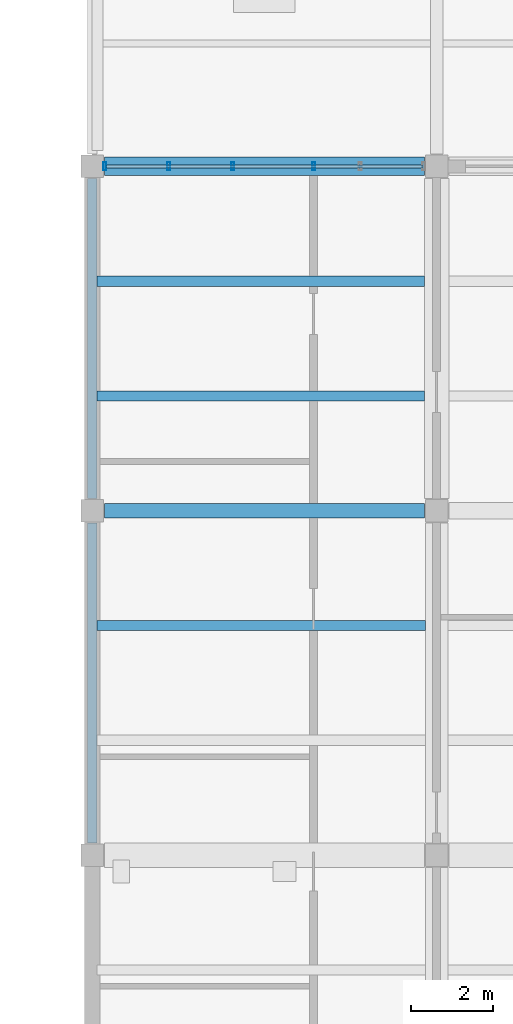
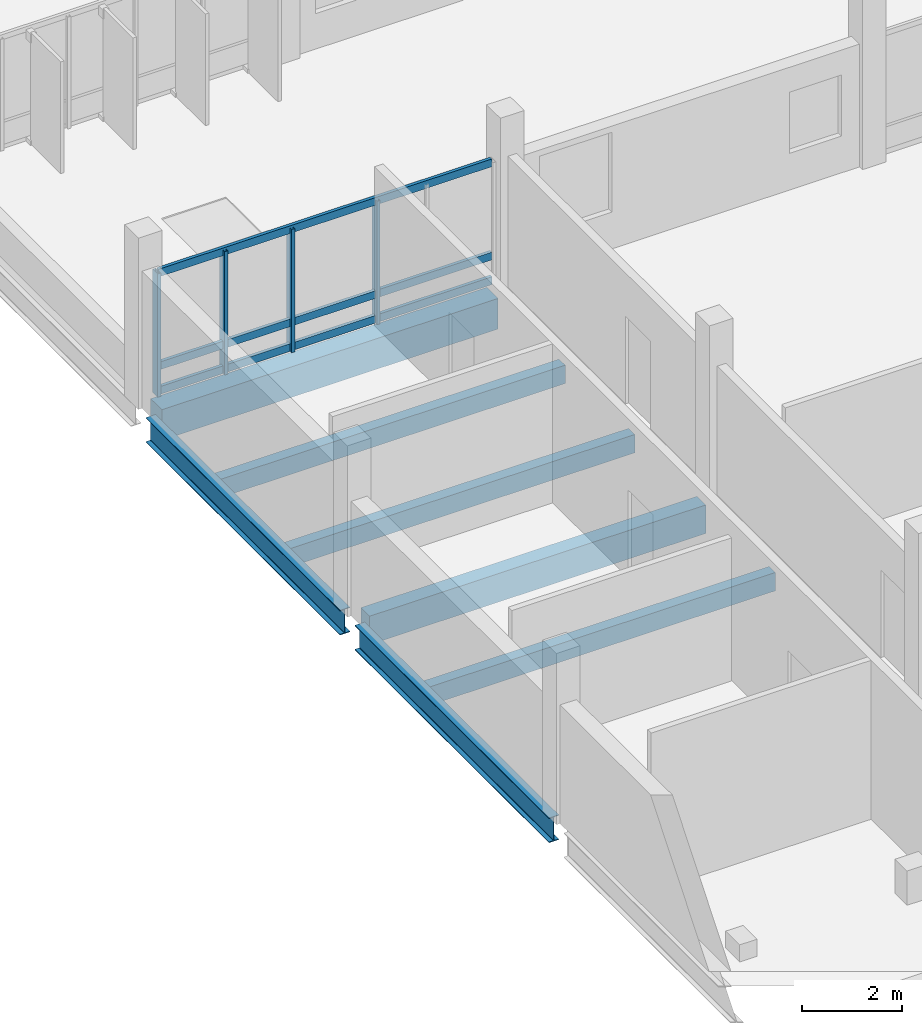
# One storey, part 51 of 130: 7 beams, 7 members, 1 element without a shape of its own.
"""IFC4 building model written with IfcOpenShell, lengths in metres."""

from ifc_helpers import new_model, si_unit, direction, frame, origin, origin_2d, place, context, subcontext, project, spatial, rectangle, hollow_rectangle, i_section, extrude, material, layer, layer_set, material_profile, profile_set, type_object, element, aggregate, save


model = new_model("IFC4")

# Units and contexts
model_context = context("Model", 3, precision=1e-05, world=origin(), true_north=direction((0.0, 1.0)))
body_context = subcontext(model_context, "Body", "Model", "MODEL_VIEW")
ifc_project = project(units=[si_unit("LENGTHUNIT", "METRE"), si_unit("AREAUNIT", "SQUARE_METRE"), si_unit("VOLUMEUNIT", "CUBIC_METRE"), si_unit("PLANEANGLEUNIT", "RADIAN"), si_unit("MASSUNIT", "GRAM", prefix="KILO")], contexts=[model_context])

# Site, building, storey
site_placement = place(None, origin())
site = spatial("IfcSite", under=ifc_project, at=site_placement, CompositionType="ELEMENT")
building_placement = place(site_placement, origin())
building = spatial("IfcBuilding", under=site, at=building_placement, Name="Vireocrest Preparatory School", CompositionType="ELEMENT")
storey_placement = place(building_placement, frame((0.0, 0.0, 9.0)))
storey = spatial("IfcBuildingStorey", under=building, at=storey_placement, Name="L02", CompositionType="ELEMENT", Elevation=9.0)

# Curtain wall, members
ifc_material_1 = material(Name="Thermally broken aluminium EN AW-6063-T6", Category="aluminium")
ifc_layer = layer(ifc_material_1, 0.179931640625)
ifc_layer_set = layer_set([ifc_layer], Name="Thermally broken aluminium EN AW-6063-T6")
curtain_wall_type = type_object("IfcCurtainWallType", Name="North Street Curtain Wall 8400x4000", PredefinedType="USERDEFINED", material=ifc_layer_set)
curtain_wall_placement = place(storey_placement, origin())
curtain_wall = element("IfcCurtainWall", 1, at=curtain_wall_placement, inside=storey, type_object=curtain_wall_type, Name="Curtain Wall CW05 CW_L02_CW05_0422_0858_090", ObjectType="CURTAIN WALL", PredefinedType="USERDEFINED")
ifc_material_profile_1 = material_profile(ifc_material_1, hollow_rectangle(XDim=0.074951171875, YDim=0.199951171875, WallThickness=0.0048828125, at=origin_2d()), Name="ALU 75x200x5")
ifc_profile_set_1 = profile_set([ifc_material_profile_1], Name="Thermally broken aluminium EN AW-6063-T6")
member_type_1 = type_object("IfcMemberType", Name="CW Mullion 75x200x5", PredefinedType="MULLION", material=ifc_profile_set_1)
member_1_placement = place(storey_placement, frame((42.31005859375, 85.800048828125, 0.0), z_axis=(0.0, 0.0, 1.0), x_axis=(1.0, 0.0, 0.0)))
member_1 = element("IfcMember", 2, at=member_1_placement, type_object=member_type_1, Name="CW Mullion ML3 CW_L02_CW05_0422_0858_090-1", PredefinedType="MULLION", context=body_context, shape_type="SweptSolid", body=[
    extrude(hollow_rectangle(XDim=0.074951171875, YDim=0.199951171875, WallThickness=0.0048828125, at=origin_2d()), origin(), (0.0, 0.0, 1.0), 3.02490234375),
])
member_2_placement = place(storey_placement, frame((43.865966796875, 85.800048828125, 0.0), z_axis=(0.0, 0.0, 1.0), x_axis=(1.0, 0.0, 0.0)))
member_2 = element("IfcMember", 3, at=member_2_placement, type_object=member_type_1, Name="CW Mullion ML3 CW_L02_CW05_0422_0858_090-2", PredefinedType="MULLION", context=body_context, shape_type="SweptSolid", body=[
    extrude(hollow_rectangle(XDim=0.074951171875, YDim=0.199951171875, WallThickness=0.0048828125, at=origin_2d()), origin(), (0.0, 0.0, 1.0), 3.02490234375),
])
member_3_placement = place(storey_placement, frame((45.422119140625, 85.800048828125, 0.0), z_axis=(0.0, 0.0, 1.0), x_axis=(1.0, 0.0, 0.0)))
member_3 = element("IfcMember", 4, at=member_3_placement, type_object=member_type_1, Name="CW Mullion ML3 CW_L02_CW05_0422_0858_090-3", PredefinedType="MULLION", context=body_context, shape_type="SweptSolid", body=[
    extrude(hollow_rectangle(XDim=0.074951171875, YDim=0.199951171875, WallThickness=0.0048828125, at=origin_2d()), origin(), (0.0, 0.0, 1.0), 3.02490234375),
])
member_4_placement = place(storey_placement, frame((47.39990234375, 85.800048828125, 0.0), z_axis=(0.0, 0.0, 1.0), x_axis=(1.0, 0.0, 0.0)))
member_4 = element("IfcMember", 5, at=member_4_placement, type_object=member_type_1, Name="CW Mullion ML3 CW_L02_CW05_0422_0858_090-4", PredefinedType="MULLION", context=body_context, shape_type="SweptSolid", body=[
    extrude(hollow_rectangle(XDim=0.074951171875, YDim=0.199951171875, WallThickness=0.0048828125, at=origin_2d()), origin(), (0.0, 0.0, 1.0), 3.02490234375),
])
ifc_material_profile_2 = material_profile(ifc_material_1, hollow_rectangle(XDim=0.074951171875, YDim=0.18994140625, WallThickness=0.00390625, at=origin_2d()), Name="ALU 75x190x4")
ifc_profile_set_2 = profile_set([ifc_material_profile_2], Name="Thermally broken aluminium EN AW-6063-T6")
member_type_2 = type_object("IfcMemberType", Name="CW Transom 75x190x4", PredefinedType="USERDEFINED", material=ifc_profile_set_2)
member_5_placement = place(storey_placement, frame((42.3349609375, 85.800048828125, 0.094970703125), z_axis=(1.0, 0.0, 0.0), x_axis=(0.0, 1.0, 0.0)))
member_5 = element("IfcMember", 6, at=member_5_placement, type_object=member_type_2, Name="CW Transom TR3 CW_L02_CW05_0422_0858_090-1", ObjectType="TRANSOM", PredefinedType="USERDEFINED", context=body_context, shape_type="SweptSolid", body=[
    extrude(hollow_rectangle(XDim=0.074951171875, YDim=0.18994140625, WallThickness=0.00390625, at=origin_2d()), origin(), (0.0, 0.0, 1.0), 7.72998046875),
])
member_6_placement = place(storey_placement, frame((42.3349609375, 85.800048828125, 0.699951171875), z_axis=(1.0, 0.0, 0.0), x_axis=(0.0, 1.0, 0.0)))
member_6 = element("IfcMember", 7, at=member_6_placement, type_object=member_type_2, Name="CW Transom TR3 CW_L02_CW05_0422_0858_090-2", ObjectType="TRANSOM", PredefinedType="USERDEFINED", context=body_context, shape_type="SweptSolid", body=[
    extrude(hollow_rectangle(XDim=0.074951171875, YDim=0.18994140625, WallThickness=0.00390625, at=origin_2d()), origin(), (0.0, 0.0, 1.0), 7.72998046875),
])
member_7_placement = place(storey_placement, frame((42.3349609375, 85.800048828125, 2.985107421875), z_axis=(1.0, 0.0, 0.0), x_axis=(0.0, 1.0, 0.0)))
member_7 = element("IfcMember", 8, at=member_7_placement, type_object=member_type_2, Name="CW Transom TR3 CW_L02_CW05_0422_0858_090-3", ObjectType="TRANSOM", PredefinedType="USERDEFINED", context=body_context, shape_type="SweptSolid", body=[
    extrude(hollow_rectangle(XDim=0.074951171875, YDim=0.18994140625, WallThickness=0.00390625, at=origin_2d()), origin(), (0.0, 0.0, 1.0), 7.72998046875),
])
aggregate(curtain_wall, [member_1, member_2, member_3, member_4, member_5, member_6, member_7])

# Beams
ifc_material_2 = material(Name="Structural steel ASTM A992 Grade 50", Category="steel")
ifc_material_profile_3 = material_profile(ifc_material_2, i_section(OverallWidth=0.22802734375, OverallDepth=0.60791015625, WebThickness=0.01123046875, FlangeThickness=0.017333984375, FilletRadius=0.01611328125, at=origin_2d()), Name="W24X76")
ifc_profile_set_3 = profile_set([ifc_material_profile_3], Name="Structural steel ASTM A992 Grade 50")
beam_type_1 = type_object("IfcBeamType", Name="Gallery Steel Girder W24X76", PredefinedType="BEAM", material=ifc_profile_set_3)
for number, where, z_axis, x_axis, name in (
    (9, (42.0, 69.300048828125, -0.5439453125), (0.0, 1.0, 0.0), (-1.0, 0.0, 0.0), "Primary Girder SB3 L02-0793"),
    (10, (42.0, 77.699951171875, -0.5439453125), (0.0, 1.0, 0.0), (-1.0, 0.0, 0.0), "Primary Girder SB3 L02-0794"),
):
    element("IfcBeam", number, at=place(storey_placement, frame(where, z_axis=z_axis, x_axis=x_axis)), inside=storey, type_object=beam_type_1, Name=name, PredefinedType="BEAM", context=body_context, shape_type="SweptSolid", body=[
        extrude(i_section(OverallWidth=0.22802734375, OverallDepth=0.60791015625, WebThickness=0.01123046875, FlangeThickness=0.017333984375, FilletRadius=0.01611328125, at=origin_2d()), origin(), (0.0, 0.0, 1.0), 7.800048828125),
    ])
ifc_material_3 = material(Name="Concrete 40 MPa", Category="concrete")
ifc_material_profile_4 = material_profile(ifc_material_3, rectangle(XDim=0.35009765625, YDim=0.699951171875, at=origin_2d()), Name="RC 350x700")
ifc_profile_set_4 = profile_set([ifc_material_profile_4], Name="Concrete 40 MPa")
beam_type_2 = type_object("IfcBeamType", Name="RC Laboratory Girder 350x700", PredefinedType="BEAM", material=ifc_profile_set_4)
beam_1_placement = place(storey_placement, frame((42.300048828125, 77.39990234375, -0.590087890625), z_axis=(1.0, 0.0, 0.0), x_axis=(0.0, 1.0, 0.0)))
element("IfcBeam", 11, at=beam_1_placement, inside=storey, type_object=beam_type_2, Name="Primary Girder B06 L02-0742", PredefinedType="BEAM", context=body_context, shape_type="SweptSolid", body=[
    extrude(rectangle(XDim=0.35009765625, YDim=0.699951171875, at=origin_2d()), origin(), (0.0, 0.0, 1.0), 7.800048828125),
])
ifc_material_profile_5 = material_profile(ifc_material_3, rectangle(XDim=0.449951171875, YDim=0.75, at=origin_2d()), Name="RC 450x750")
ifc_profile_set_5 = profile_set([ifc_material_profile_5], Name="Concrete 40 MPa")
beam_type_3 = type_object("IfcBeamType", Name="RC Library Stack Girder 450x750", PredefinedType="BEAM", material=ifc_profile_set_5)
beam_2_placement = place(storey_placement, frame((42.300048828125, 85.800048828125, -0.614990234375), z_axis=(1.0, 0.0, 0.0), x_axis=(0.0, 1.0, 0.0)))
element("IfcBeam", 12, at=beam_2_placement, inside=storey, type_object=beam_type_3, Name="Primary Girder B11 L02-0747", PredefinedType="BEAM", context=body_context, shape_type="SweptSolid", body=[
    extrude(rectangle(XDim=0.449951171875, YDim=0.75, at=origin_2d()), origin(), (0.0, 0.0, 1.0), 7.800048828125),
])
ifc_material_profile_6 = material_profile(ifc_material_3, rectangle(XDim=0.25, YDim=0.449951171875, at=origin_2d()), Name="RC 250x450")
ifc_profile_set_6 = profile_set([ifc_material_profile_6], Name="Concrete 40 MPa")
beam_type_4 = type_object("IfcBeamType", Name="RC Secondary Floor Joist 250x450", PredefinedType="JOIST", material=ifc_profile_set_6)
beam_3_placement = place(storey_placement, frame((42.114013671875, 74.60009765625, -0.465087890625), z_axis=(1.0, 0.0, 0.0), x_axis=(0.0, 1.0, 0.0)))
element("IfcBeam", 13, at=beam_3_placement, inside=storey, type_object=beam_type_4, Name="Secondary Joist J01 L02-0901", PredefinedType="JOIST", context=body_context, shape_type="SweptSolid", body=[
    extrude(rectangle(XDim=0.25, YDim=0.449951171875, at=origin_2d()), origin(), (0.0, 0.0, 1.0), 8.010986328125),
])
for number, where, z_axis, x_axis, name in (
    (14, (42.114013671875, 80.199951171875, -0.465087890625), (1.0, 0.0, 0.0), (0.0, 1.0, 0.0), "Secondary Joist J01 L02-0902"),
    (15, (42.114013671875, 83.0, -0.465087890625), (1.0, 0.0, 0.0), (0.0, 1.0, 0.0), "Secondary Joist J01 L02-0903"),
):
    element("IfcBeam", number, at=place(storey_placement, frame(where, z_axis=z_axis, x_axis=x_axis)), inside=storey, type_object=beam_type_4, Name=name, PredefinedType="JOIST", context=body_context, shape_type="SweptSolid", body=[
        extrude(rectangle(XDim=0.25, YDim=0.449951171875, at=origin_2d()), origin(), (0.0, 0.0, 1.0), 7.986083984375),
    ])

save(model, "model.ifc")
